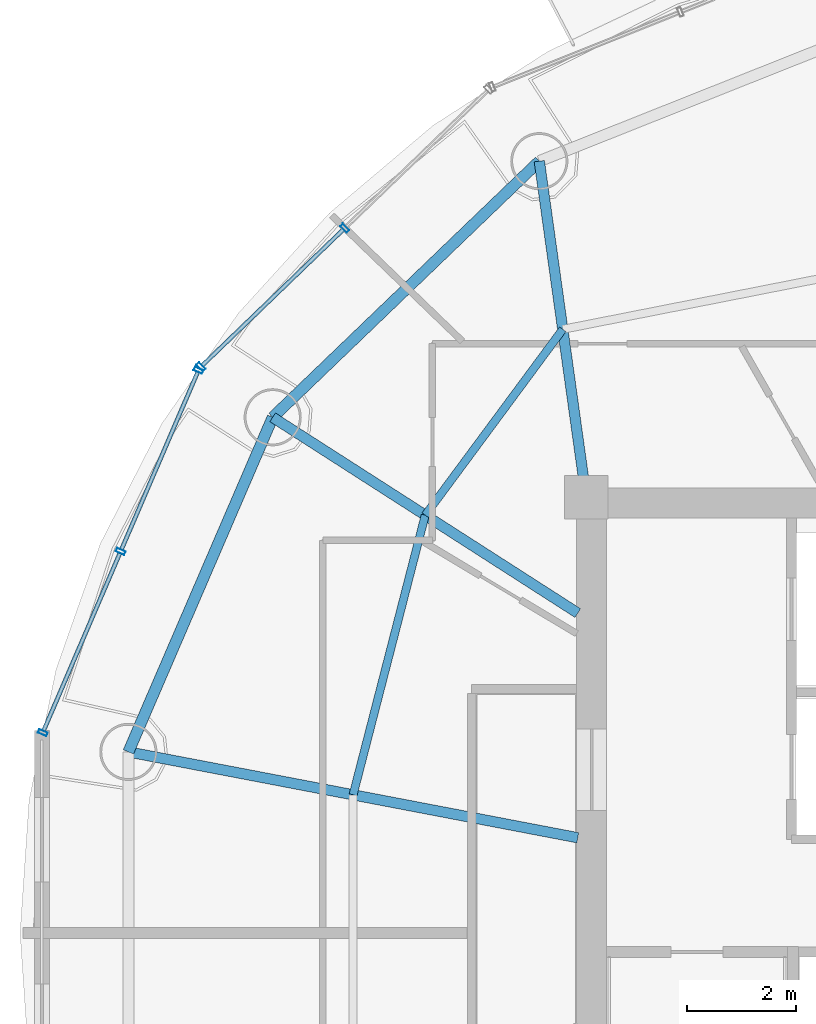
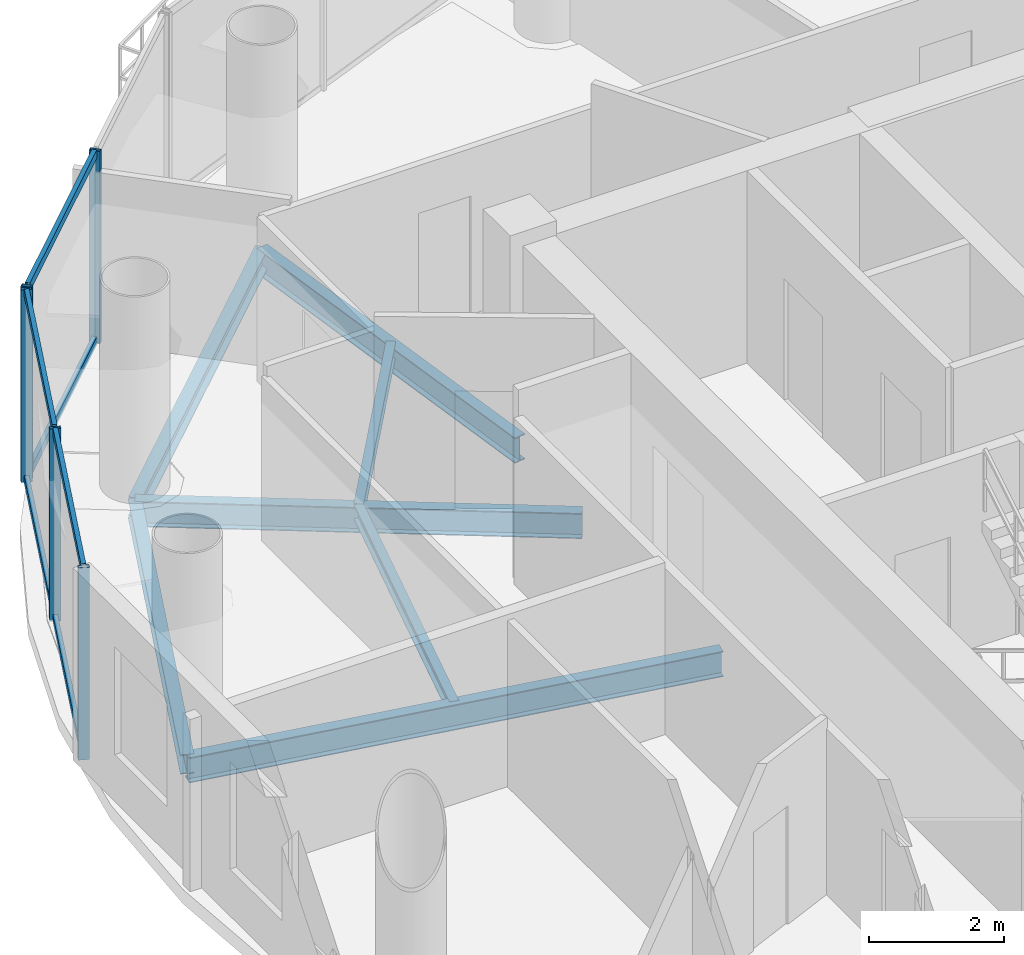
# One storey, part 8 of 23: 11 members, 7 beams, 2 elements without a shape of their own.
"""IFC4 building model written with IfcOpenShell, lengths in metres."""

from ifc_helpers import new_model, si_unit, direction, frame, origin, origin_2d, place, context, subcontext, project, spatial, hollow_rectangle, i_section, extrude, source, transform, mapped, material, material_profile, profile_set, type_object, element, aggregate, save


model = new_model("IFC4")

# Units and contexts
model_context = context("Model", 3, precision=1e-05, world=origin(), true_north=direction((-0.2419218956, 0.970295726276)))
body_context = subcontext(model_context, "Body", "Model", "MODEL_VIEW")
ifc_project = project(units=[si_unit("LENGTHUNIT", "METRE"), si_unit("AREAUNIT", "SQUARE_METRE"), si_unit("VOLUMEUNIT", "CUBIC_METRE"), si_unit("PLANEANGLEUNIT", "RADIAN"), si_unit("MASSUNIT", "GRAM", prefix="KILO")], contexts=[model_context])

# Site, building, storey
site_placement = place(None, origin())
site = spatial("IfcSite", under=ifc_project, at=site_placement, CompositionType="ELEMENT")
building_placement = place(site_placement, origin())
building = spatial("IfcBuilding", under=site, at=building_placement, Name="Cobrevalo Terracotta Tower", CompositionType="ELEMENT")
storey_placement = place(building_placement, frame((0.0, 0.0, 259.449951171875)))
storey = spatial("IfcBuildingStorey", under=building, at=storey_placement, Name="L68", CompositionType="ELEMENT", Elevation=259.449951171875)

# Beams
ifc_material_1 = material(Name="Steel S355", Category="steel")
ifc_material_profile_1 = material_profile(ifc_material_1, i_section(OverallWidth=0.19091796875, OverallDepth=0.4599609375, WebThickness=0.010009765625, FlangeThickness=0.01611328125, at=origin_2d()), Name="W 460x82")
ifc_profile_set_1 = profile_set([ifc_material_profile_1], Name="Steel S355")
beam_type_1 = type_object("IfcBeamType", Name="Structural Beam W 460x82 (Steel S355)", PredefinedType="BEAM", material=ifc_profile_set_1)
beam_1_placement = place(storey_placement, frame((28.138671875, 40.9765625, -0.489990234375), z_axis=(0.138115657759, -0.990416107039, 0.0), x_axis=(0.990416107039, 0.138115657759, 0.0)))
element("IfcBeam", 1, at=beam_1_placement, inside=storey, type_object=beam_type_1, Name="L68 radial floor girder 06", PredefinedType="BEAM", context=body_context, shape_type="SweptSolid", body=[
    extrude(i_section(OverallWidth=0.19091796875, OverallDepth=0.4599609375, WebThickness=0.010009765625, FlangeThickness=0.01611328125, at=origin_2d()), origin(), (0.0, 0.0, 1.0), 6.236328125),
])
beam_2_placement = place(storey_placement, frame((23.241455078125, 36.2724609375, -0.489990234375), z_axis=(0.84157615512, -0.540138477739, 0.0), x_axis=(0.540138477739, 0.84157615512, 0.0)))
element("IfcBeam", 2, at=beam_2_placement, inside=storey, type_object=beam_type_1, Name="L68 radial floor girder 07", PredefinedType="BEAM", context=body_context, shape_type="SweptSolid", body=[
    extrude(i_section(OverallWidth=0.19091796875, OverallDepth=0.4599609375, WebThickness=0.010009765625, FlangeThickness=0.01611328125, at=origin_2d()), origin(), (0.0, 0.0, 1.0), 6.658447265625),
])
beam_3_placement = place(storey_placement, frame((20.591064453125, 30.126220703125, -0.489990234375), z_axis=(0.982234917636, -0.187655446433, 0.0), x_axis=(0.187655446433, 0.982234917636, 0.0)))
element("IfcBeam", 3, at=beam_3_placement, inside=storey, type_object=beam_type_1, Name="L68 radial floor girder 08", PredefinedType="BEAM", context=body_context, shape_type="SweptSolid", body=[
    extrude(i_section(OverallWidth=0.19091796875, OverallDepth=0.4599609375, WebThickness=0.010009765625, FlangeThickness=0.01611328125, at=origin_2d()), origin(), (0.0, 0.0, 1.0), 8.403076171875),
])
ifc_material_profile_2 = material_profile(ifc_material_1, i_section(OverallWidth=0.14794921875, OverallDepth=0.26611328125, WebThickness=0.007568359375, FlangeThickness=0.012939453125, at=origin_2d()), Name="W 250x44.8")
ifc_profile_set_2 = profile_set([ifc_material_profile_2], Name="Steel S355")
beam_type_2 = type_object("IfcBeamType", Name="Structural Joist W 250x44.8 (Steel S355)", PredefinedType="JOIST", material=ifc_profile_set_2)
beam_4_placement = place(storey_placement, frame((28.5693359375, 37.88818359375, -0.39306640625), z_axis=(-0.594799916617, -0.803873783123, 0.0), x_axis=(0.803873783123, -0.594799916617, 0.0)))
element("IfcBeam", 4, at=beam_4_placement, inside=storey, type_object=beam_type_2, Name="L68 circumferential secondary floor joist 06", PredefinedType="JOIST", context=body_context, shape_type="SweptSolid", body=[
    extrude(i_section(OverallWidth=0.14794921875, OverallDepth=0.26611328125, WebThickness=0.007568359375, FlangeThickness=0.012939453125, at=origin_2d()), origin(), (0.0, 0.0, 1.0), 4.2470703125),
])
beam_5_placement = place(storey_placement, frame((26.043212890625, 34.47412109375, -0.39306640625), z_axis=(-0.249816773293, -0.968293126993, 0.0), x_axis=(0.968293126993, -0.249816773293, 0.0)))
element("IfcBeam", 5, at=beam_5_placement, inside=storey, type_object=beam_type_2, Name="L68 circumferential secondary floor joist 07", PredefinedType="JOIST", context=body_context, shape_type="SweptSolid", body=[
    extrude(i_section(OverallWidth=0.14794921875, OverallDepth=0.26611328125, WebThickness=0.007568359375, FlangeThickness=0.012939453125, at=origin_2d()), origin(), (0.0, 0.0, 1.0), 5.3046875),
])
ifc_material_profile_3 = material_profile(ifc_material_1, i_section(OverallWidth=0.205078125, OverallDepth=0.35400390625, WebThickness=0.009521484375, FlangeThickness=0.016845703125, at=origin_2d()), Name="W 360x79")
ifc_profile_set_3 = profile_set([ifc_material_profile_3], Name="Steel S355")
beam_type_3 = type_object("IfcBeamType", Name="Structural Spandrel W 360x79 (Steel S355)", PredefinedType="SPANDREL", material=ifc_profile_set_3)
beam_6_placement = place(storey_placement, frame((28.138671875, 40.9765625, -0.43701171875), z_axis=(-0.721183246144, -0.692744343522, 0.0), x_axis=(0.692744343522, -0.721183246144, 0.0)))
element("IfcBeam", 6, at=beam_6_placement, inside=storey, type_object=beam_type_3, Name="L68 perimeter ring spandrel 06", PredefinedType="SPANDREL", context=body_context, shape_type="SweptSolid", body=[
    extrude(i_section(OverallWidth=0.205078125, OverallDepth=0.35400390625, WebThickness=0.009521484375, FlangeThickness=0.016845703125, at=origin_2d()), origin(), (0.0, 0.0, 1.0), 6.79052734375),
])
beam_7_placement = place(storey_placement, frame((23.241455078125, 36.2724609375, -0.43701171875), z_axis=(-0.395974127655, -0.918261667624, 0.0), x_axis=(0.918261667624, -0.395974127655, 0.0)))
element("IfcBeam", 7, at=beam_7_placement, inside=storey, type_object=beam_type_3, Name="L68 perimeter ring spandrel 07", PredefinedType="SPANDREL", context=body_context, shape_type="SweptSolid", body=[
    extrude(i_section(OverallWidth=0.205078125, OverallDepth=0.35400390625, WebThickness=0.009521484375, FlangeThickness=0.016845703125, at=origin_2d()), origin(), (0.0, 0.0, 1.0), 6.693359375),
])

# Curtain wall, members
ifc_material_2 = material(Name="Anodized aluminium", Category="aluminium")
curtain_wall_type = type_object("IfcCurtainWallType", Name="Upper-tower triple-glazed penthouse curtain wall CW-U3", PredefinedType="NOTDEFINED", material=ifc_material_2)
curtain_wall_1_placement = place(storey_placement, origin())
curtain_wall_1 = element("IfcCurtainWall", 8, at=curtain_wall_1_placement, inside=storey, type_object=curtain_wall_type, Name="L68 curtain wall CW-L68-S06", PredefinedType="NOTDEFINED")
ifc_material_profile_4 = material_profile(ifc_material_2, hollow_rectangle(XDim=0.070068359375, YDim=0.169921875, WallThickness=0.00439453125, at=origin_2d()), Name="CWM 70x170")
ifc_profile_set_4 = profile_set([ifc_material_profile_4], Name="Anodized aluminium")
member_type_1 = type_object("IfcMemberType", Name="Upper tower unitised mullion 70x170", PredefinedType="MULLION", material=ifc_profile_set_4)
shared_shape_1 = source(origin(), body_context, "Body", "SweptSolid", [
    extrude(hollow_rectangle(XDim=0.070068359375, YDim=0.169921875, WallThickness=0.00439453125, at=origin_2d()), origin(), (0.0, 0.0, 1.0), 3.489990234375),
])
member_1_placement = place(storey_placement, frame((24.56640625, 39.748046875, 0.0), z_axis=(0.0, 0.0, 1.0), x_axis=(-0.71999418085, -0.69398010025, 0.0)))
member_1 = element("IfcMember", 9, at=member_1_placement, type_object=member_type_1, Name="CW-L68-S06 vertical mullion 02", PredefinedType="MULLION", context=body_context, shape_type="MappedRepresentation", body=[
    mapped(shared_shape_1, transform((0.0, 0.0, 0.0), scale=1.0)),
])
member_2_placement = place(storey_placement, frame((21.92333984375, 37.2001953125, 0.0), z_axis=(0.0, 0.0, 1.0), x_axis=(-0.71999418085, -0.69398010025, 0.0)))
member_2 = element("IfcMember", 10, at=member_2_placement, type_object=member_type_1, Name="CW-L68-S06 vertical mullion 03", PredefinedType="MULLION", context=body_context, shape_type="MappedRepresentation", body=[
    mapped(shared_shape_1, transform((0.0, 0.0, 0.0), scale=1.0)),
])

curtain_wall_2_placement = place(storey_placement, origin())
curtain_wall_2 = element("IfcCurtainWall", 11, at=curtain_wall_2_placement, inside=storey, type_object=curtain_wall_type, Name="L68 curtain wall CW-L68-S07", PredefinedType="NOTDEFINED")
member_3_placement = place(storey_placement, frame((21.878662109375, 37.1357421875, 0.0), z_axis=(0.0, 0.0, 1.0), x_axis=(-0.39482403454, -0.91875675875, 0.0)))
member_3 = element("IfcMember", 12, at=member_3_placement, type_object=member_type_1, Name="CW-L68-S07 vertical mullion 01", PredefinedType="MULLION", context=body_context, shape_type="MappedRepresentation", body=[
    mapped(shared_shape_1, transform((0.0, 0.0, 0.0), scale=1.0)),
])
member_4_placement = place(storey_placement, frame((20.4482421875, 33.807373046875, 0.0), z_axis=(0.0, 0.0, 1.0), x_axis=(-0.39482403454, -0.91875675875, 0.0)))
member_4 = element("IfcMember", 13, at=member_4_placement, type_object=member_type_1, Name="CW-L68-S07 vertical mullion 02", PredefinedType="MULLION", context=body_context, shape_type="MappedRepresentation", body=[
    mapped(shared_shape_1, transform((0.0, 0.0, 0.0), scale=1.0)),
])
member_5_placement = place(storey_placement, frame((19.01806640625, 30.47900390625, 0.0), z_axis=(0.0, 0.0, 1.0), x_axis=(-0.39482403454, -0.91875675875, 0.0)))
member_5 = element("IfcMember", 14, at=member_5_placement, type_object=member_type_1, Name="CW-L68-S07 vertical mullion 03", PredefinedType="MULLION", context=body_context, shape_type="MappedRepresentation", body=[
    mapped(shared_shape_1, transform((0.0, 0.0, 0.0), scale=1.0)),
])

# Member
ifc_material_profile_5 = material_profile(ifc_material_2, hollow_rectangle(XDim=0.074951171875, YDim=0.14990234375, WallThickness=0.00439453125, at=origin_2d()), Name="CWT 75x150")
ifc_profile_set_5 = profile_set([ifc_material_profile_5], Name="Anodized aluminium")
member_type_2 = type_object("IfcMemberType", Name="Tower unitised aluminium transom 75x150", PredefinedType="USERDEFINED", material=ifc_profile_set_5)
shared_shape_2 = source(origin(), body_context, "Body", "SweptSolid", [
    extrude(hollow_rectangle(XDim=0.074951171875, YDim=0.14990234375, WallThickness=0.00439453125, at=origin_2d()), origin(), (0.0, 0.0, 1.0), 3.59130859375),
])
member_6_placement = place(storey_placement, frame((24.537841796875, 39.72021484375, 0.050048828125), z_axis=(-0.720005628362, -0.693968223427, 0.0), x_axis=(0.693968223427, -0.720005628362, 0.0)))
member_6 = element("IfcMember", 15, at=member_6_placement, type_object=member_type_2, Name="CW-L68-S06 transom B02-T1", ObjectType="TRANSOM", PredefinedType="USERDEFINED", context=body_context, shape_type="MappedRepresentation", body=[
    mapped(shared_shape_2, transform((0.0, 0.0, 0.0), scale=1.0)),
])

member_7_placement = place(storey_placement, frame((24.537841796875, 39.72021484375, 3.43994140625), z_axis=(-0.720005628362, -0.693968223427, 0.0), x_axis=(0.693968223427, -0.720005628362, 0.0)))
member_7 = element("IfcMember", 16, at=member_7_placement, type_object=member_type_2, Name="CW-L68-S06 transom B02-T2", ObjectType="TRANSOM", PredefinedType="USERDEFINED", context=body_context, shape_type="MappedRepresentation", body=[
    mapped(shared_shape_2, transform((0.0, 0.0, 0.0), scale=1.0)),
])

aggregate(curtain_wall_1, [member_1, member_2, member_6, member_7])

shared_shape_3 = source(origin(), body_context, "Body", "SweptSolid", [
    extrude(hollow_rectangle(XDim=0.074951171875, YDim=0.14990234375, WallThickness=0.00439453125, at=origin_2d()), origin(), (0.0, 0.0, 1.0), 3.54248046875),
])
member_8_placement = place(storey_placement, frame((21.86279296875, 37.098876953125, 0.050048828125), z_axis=(-0.394834055841, -0.918752452159, 0.0), x_axis=(0.918752452159, -0.394834055841, 0.0)))
member_8 = element("IfcMember", 17, at=member_8_placement, type_object=member_type_2, Name="CW-L68-S07 transom B01-T1", ObjectType="TRANSOM", PredefinedType="USERDEFINED", context=body_context, shape_type="MappedRepresentation", body=[
    mapped(shared_shape_3, transform((0.0, 0.0, 0.0), scale=1.0)),
])

member_9_placement = place(storey_placement, frame((21.86279296875, 37.098876953125, 3.43994140625), z_axis=(-0.394834055841, -0.918752452159, 0.0), x_axis=(0.918752452159, -0.394834055841, 0.0)))
member_9 = element("IfcMember", 18, at=member_9_placement, type_object=member_type_2, Name="CW-L68-S07 transom B01-T2", ObjectType="TRANSOM", PredefinedType="USERDEFINED", context=body_context, shape_type="MappedRepresentation", body=[
    mapped(shared_shape_3, transform((0.0, 0.0, 0.0), scale=1.0)),
])

shared_shape_4 = source(origin(), body_context, "Body", "SweptSolid", [
    extrude(hollow_rectangle(XDim=0.074951171875, YDim=0.14990234375, WallThickness=0.00439453125, at=origin_2d()), origin(), (0.0, 0.0, 1.0), 3.542724609375),
])
member_10_placement = place(storey_placement, frame((20.4326171875, 33.770751953125, 0.050048828125), z_axis=(-0.394867226589, -0.918738196314, 0.0), x_axis=(0.918738196314, -0.394867226589, 0.0)))
member_10 = element("IfcMember", 19, at=member_10_placement, type_object=member_type_2, Name="CW-L68-S07 transom B02-T1", ObjectType="TRANSOM", PredefinedType="USERDEFINED", context=body_context, shape_type="MappedRepresentation", body=[
    mapped(shared_shape_4, transform((0.0, 0.0, 0.0), scale=1.0)),
])

member_11_placement = place(storey_placement, frame((20.4326171875, 33.770751953125, 3.43994140625), z_axis=(-0.394867226589, -0.918738196314, 0.0), x_axis=(0.918738196314, -0.394867226589, 0.0)))
member_11 = element("IfcMember", 20, at=member_11_placement, type_object=member_type_2, Name="CW-L68-S07 transom B02-T2", ObjectType="TRANSOM", PredefinedType="USERDEFINED", context=body_context, shape_type="MappedRepresentation", body=[
    mapped(shared_shape_4, transform((0.0, 0.0, 0.0), scale=1.0)),
])

aggregate(curtain_wall_2, [member_3, member_4, member_5, member_8, member_9, member_10, member_11])

save(model, "model.ifc")
